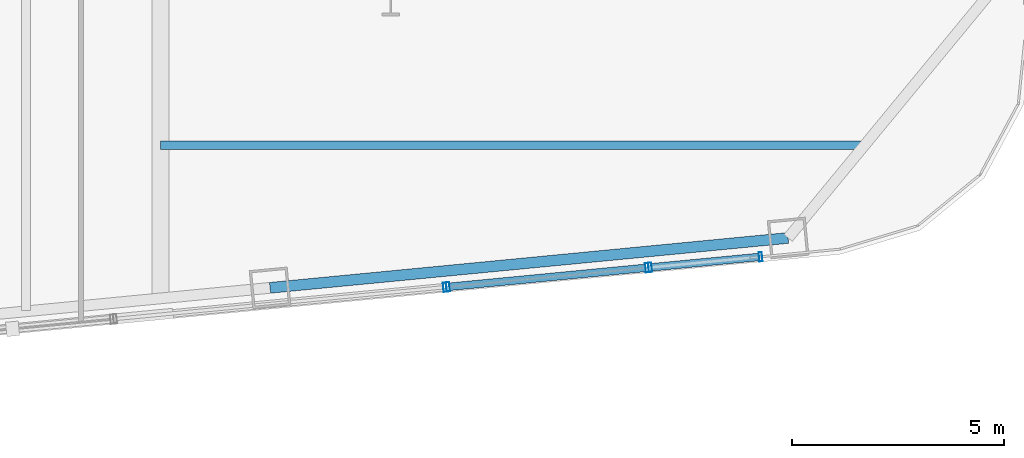
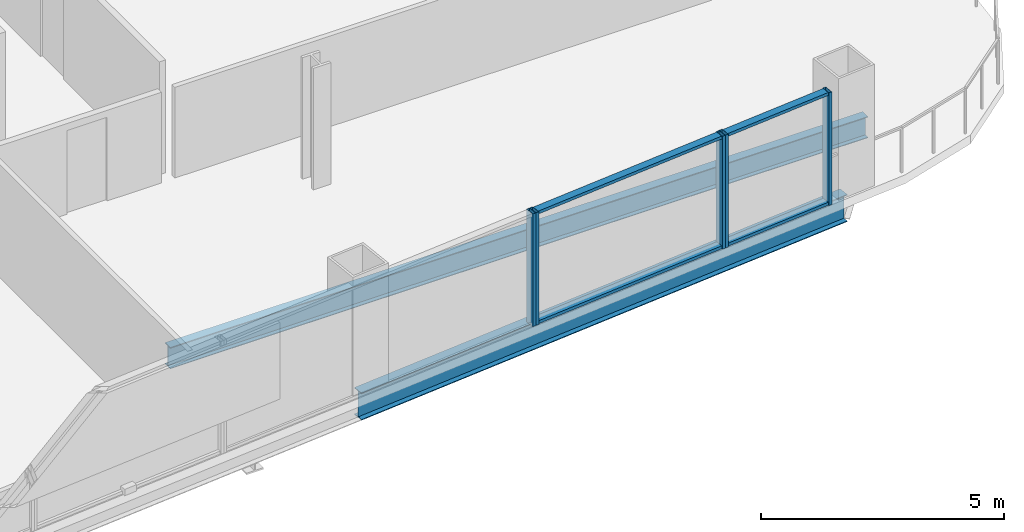
# One storey, part 11 of 32: 9 members, 2 beams, 3 elements without a shape of their own.
"""IFC4 building model written with IfcOpenShell, lengths in metres."""

from ifc_helpers import new_model, si_unit, direction, frame, origin, origin_2d, place, context, subcontext, project, spatial, hollow_rectangle, i_section, extrude, material, layer, layer_set, material_profile, profile_set, type_object, element, aggregate, save


model = new_model("IFC4")

# Units and contexts
model_context = context("Model", 3, precision=1e-05, world=origin(), true_north=direction((0.0, 1.0)))
body_context = subcontext(model_context, "Body", "Model", "MODEL_VIEW")
ifc_project = project(units=[si_unit("LENGTHUNIT", "METRE"), si_unit("AREAUNIT", "SQUARE_METRE"), si_unit("VOLUMEUNIT", "CUBIC_METRE"), si_unit("PLANEANGLEUNIT", "RADIAN"), si_unit("MASSUNIT", "GRAM", prefix="KILO")], contexts=[model_context])

# Site, building, storey
site_placement = place(None, origin())
site = spatial("IfcSite", under=ifc_project, at=site_placement, CompositionType="ELEMENT")
building_placement = place(site_placement, origin())
building = spatial("IfcBuilding", under=site, at=building_placement, Name="Qhalaya Broadcast Tower", CompositionType="ELEMENT")
storey_placement = place(building_placement, frame((0.0, 0.0, 87.75)))
storey = spatial("IfcBuildingStorey", under=building, at=storey_placement, Name="L25", CompositionType="ELEMENT", Elevation=87.75)

# Beams
ifc_material_1 = material(Name="Structural Steel ASTM A992 Grade 50", Category="steel")
ifc_material_profile_1 = material_profile(ifc_material_1, i_section(OverallWidth=0.2099609375, OverallDepth=0.535888671875, WebThickness=0.010986328125, FlangeThickness=0.017333984375, at=origin_2d()), Name="W21X68")
ifc_profile_set_1 = profile_set([ifc_material_profile_1], Name="Structural Steel ASTM A992 Grade 50")
beam_type_1 = type_object("IfcBeamType", Name="Composite Floor Joist J02", PredefinedType="JOIST", material=ifc_profile_set_1)
beam_1_placement = place(storey_placement, frame((9.375, -16.5, -0.488037109375), z_axis=(1.0, 0.0, 0.0), x_axis=(0.0, 1.0, 0.0)))
element("IfcBeam", 1, at=beam_1_placement, inside=storey, type_object=beam_type_1, Name="L25 J02 L25-JWE1E-1", PredefinedType="JOIST", context=body_context, shape_type="SweptSolid", body=[
    extrude(i_section(OverallWidth=0.2099609375, OverallDepth=0.535888671875, WebThickness=0.010986328125, FlangeThickness=0.017333984375, at=origin_2d()), origin(), (0.0, 0.0, 1.0), 16.56591796875),
])
ifc_material_profile_2 = material_profile(ifc_material_1, i_section(OverallWidth=0.25390625, OverallDepth=0.68310546875, WebThickness=0.012451171875, FlangeThickness=0.01904296875, at=origin_2d()), Name="W27X94")
ifc_profile_set_2 = profile_set([ifc_material_profile_2], Name="Structural Steel ASTM A992 Grade 50")
beam_type_2 = type_object("IfcBeamType", Name="Perimeter Ring Spandrel Beam SP1", PredefinedType="SPANDREL", material=ifc_profile_set_2)
beam_2_placement = place(storey_placement, frame((11.955078125, -19.861083984375, -0.5615234375), z_axis=(0.995397535354, 0.095831866369, 0.0), x_axis=(-0.095831866369, 0.995397535354, 0.0)))
element("IfcBeam", 2, at=beam_2_placement, inside=storey, type_object=beam_type_2, Name="L25 SP1 L25-SPR-03", PredefinedType="SPANDREL", context=body_context, shape_type="SweptSolid", body=[
    extrude(i_section(OverallWidth=0.25390625, OverallDepth=0.68310546875, WebThickness=0.012451171875, FlangeThickness=0.01904296875, at=origin_2d()), origin(), (0.0, 0.0, 1.0), 12.2666015625),
])

# Curtain wall, member
ifc_material_2 = material(Name="Fired Architectural Terracotta", Category="masonry")
ifc_layer_1 = layer(ifc_material_2, 0.219970703125, Name="Fired Architectural Terracotta")
ifc_layer_set_1 = layer_set([ifc_layer_1], Name="Fired Architectural Terracotta")
curtain_wall_type_1 = type_object("IfcCurtainWallType", Name="Block-Cap Unitised Terracotta Spandrel Wall CW-07", PredefinedType="NOTDEFINED", material=ifc_layer_set_1)
curtain_wall_1_placement = place(storey_placement, origin())
curtain_wall_1 = element("IfcCurtainWall", 3, at=curtain_wall_1_placement, inside=storey, type_object=curtain_wall_type_1, Name="L25 Unitised Curtain Wall L25-CW-S5", PredefinedType="NOTDEFINED")
ifc_material_3 = material(Name="Anodised Aluminium 6063-T6", Category="aluminium")
ifc_material_profile_3 = material_profile(ifc_material_3, hollow_rectangle(XDim=0.074951171875, YDim=0.219970703125, WallThickness=0.00390625, at=origin_2d()), Name="ALU-MUL 75x220x4")
ifc_profile_set_3 = profile_set([ifc_material_profile_3], Name="Anodised Aluminium 6063-T6")
member_type_1 = type_object("IfcMemberType", Name="Unitised Curtain-Wall Mullion M01", PredefinedType="MULLION", material=ifc_profile_set_3)
member_1_placement = place(storey_placement, frame((16.07568359375, -19.84619140625, 0.0), z_axis=(0.0, 0.0, 1.0), x_axis=(0.995396908899, 0.095838373083, 0.0)))
member_1 = element("IfcMember", 4, at=member_1_placement, type_object=member_type_1, Name="CW-07 mullion 2", PredefinedType="MULLION", context=body_context, shape_type="SweptSolid", body=[
    extrude(hollow_rectangle(XDim=0.074951171875, YDim=0.219970703125, WallThickness=0.00390625, at=origin_2d()), origin(), (0.0, 0.0, 1.0), 2.830078125),
])
aggregate(curtain_wall_1, [member_1])

# Curtain wall, members
ifc_material_4 = material(Name="Solar-Control Low-E Triple Glazing", Category="glass")
ifc_layer_2 = layer(ifc_material_4, 0.219970703125, Name="Solar-Control Low-E Triple Glazing")
ifc_layer_set_2 = layer_set([ifc_layer_2], Name="Solar-Control Low-E Triple Glazing")
curtain_wall_type_2 = type_object("IfcCurtainWallType", Name="Even-Block 4-Storey Double-Module Curtain Wall CW-03", PredefinedType="NOTDEFINED", material=ifc_layer_set_2)
curtain_wall_2_placement = place(storey_placement, origin())
curtain_wall_2 = element("IfcCurtainWall", 5, at=curtain_wall_2_placement, inside=storey, type_object=curtain_wall_type_2, Name="L25 Unitised Curtain Wall L25-CW-S6", PredefinedType="NOTDEFINED")
member_2_placement = place(storey_placement, frame((16.150390625, -19.839111328125, 0.0), z_axis=(0.0, 0.0, 1.0), x_axis=(0.995394431952, 0.095864095672, 0.0)))
member_2 = element("IfcMember", 6, at=member_2_placement, type_object=member_type_1, Name="CW-03 mullion 1", PredefinedType="MULLION", context=body_context, shape_type="SweptSolid", body=[
    extrude(hollow_rectangle(XDim=0.074951171875, YDim=0.219970703125, WallThickness=0.00390625, at=origin_2d()), origin(), (0.0, 0.0, 1.0), 2.830078125),
])
member_3_placement = place(storey_placement, frame((20.839599609375, -19.387451171875, 0.0), z_axis=(0.0, 0.0, 1.0), x_axis=(0.995394431952, 0.095864095672, 0.0)))
member_3 = element("IfcMember", 7, at=member_3_placement, type_object=member_type_1, Name="CW-03 mullion 2", PredefinedType="MULLION", context=body_context, shape_type="SweptSolid", body=[
    extrude(hollow_rectangle(XDim=0.074951171875, YDim=0.219970703125, WallThickness=0.00390625, at=origin_2d()), origin(), (0.0, 0.0, 1.0), 2.830078125),
])

curtain_wall_3_placement = place(storey_placement, origin())
curtain_wall_3 = element("IfcCurtainWall", 8, at=curtain_wall_3_placement, inside=storey, type_object=curtain_wall_type_1, Name="L25 Unitised Curtain Wall L25-CW-S7", PredefinedType="NOTDEFINED")
member_4_placement = place(storey_placement, frame((20.914306640625, -19.380126953125, 0.0), z_axis=(0.0, 0.0, 1.0), x_axis=(0.995397375184, 0.095833530024, 0.0)))
member_4 = element("IfcMember", 9, at=member_4_placement, type_object=member_type_1, Name="CW-07 mullion 1", PredefinedType="MULLION", context=body_context, shape_type="SweptSolid", body=[
    extrude(hollow_rectangle(XDim=0.074951171875, YDim=0.219970703125, WallThickness=0.00390625, at=origin_2d()), origin(), (0.0, 0.0, 1.0), 2.830078125),
])
member_5_placement = place(storey_placement, frame((23.517333984375, -19.129638671875, 0.0), z_axis=(0.0, 0.0, 1.0), x_axis=(0.995397375184, 0.095833530024, 0.0)))
member_5 = element("IfcMember", 10, at=member_5_placement, type_object=member_type_1, Name="CW-07 mullion 2", PredefinedType="MULLION", context=body_context, shape_type="SweptSolid", body=[
    extrude(hollow_rectangle(XDim=0.074951171875, YDim=0.219970703125, WallThickness=0.00390625, at=origin_2d()), origin(), (0.0, 0.0, 1.0), 2.830078125),
])

# Member
ifc_material_profile_4 = material_profile(ifc_material_3, hollow_rectangle(XDim=0.074951171875, YDim=0.179931640625, WallThickness=0.00390625, at=origin_2d()), Name="ALU-TRN 75x180x4")
ifc_profile_set_4 = profile_set([ifc_material_profile_4], Name="Anodised Aluminium 6063-T6")
member_type_2 = type_object("IfcMemberType", Name="Unitised Curtain-Wall Transom T01", PredefinedType="USERDEFINED", material=ifc_profile_set_4)
member_6_placement = place(storey_placement, frame((16.187744140625, -19.83544921875, 0.03759765625), z_axis=(0.99539096807, 0.095900055704, 0.0), x_axis=(0.0, 0.0, 1.0)))
member_6 = element("IfcMember", 11, at=member_6_placement, type_object=member_type_2, Name="CW-03 transom 1.1", ObjectType="TRANSOM", PredefinedType="USERDEFINED", context=body_context, shape_type="SweptSolid", body=[
    extrude(hollow_rectangle(XDim=0.074951171875, YDim=0.179931640625, WallThickness=0.00390625, at=origin_2d()), origin(), (0.0, 0.0, 1.0), 4.635986328125),
])

member_7_placement = place(storey_placement, frame((16.187744140625, -19.83544921875, 2.79248046875), z_axis=(0.99539096807, 0.095900055704, 0.0), x_axis=(0.0, 0.0, 1.0)))
member_7 = element("IfcMember", 12, at=member_7_placement, type_object=member_type_2, Name="CW-03 transom 1.2", ObjectType="TRANSOM", PredefinedType="USERDEFINED", context=body_context, shape_type="SweptSolid", body=[
    extrude(hollow_rectangle(XDim=0.074951171875, YDim=0.179931640625, WallThickness=0.00390625, at=origin_2d()), origin(), (0.0, 0.0, 1.0), 4.635986328125),
])

aggregate(curtain_wall_2, [member_2, member_3, member_6, member_7])

member_8_placement = place(storey_placement, frame((20.95166015625, -19.376708984375, 0.03759765625), z_axis=(0.995397751495, 0.095829621306, 0.0), x_axis=(0.0, 0.0, 1.0)))
member_8 = element("IfcMember", 13, at=member_8_placement, type_object=member_type_2, Name="CW-07 transom 1.1", ObjectType="TRANSOM", PredefinedType="USERDEFINED", context=body_context, shape_type="SweptSolid", body=[
    extrude(hollow_rectangle(XDim=0.074951171875, YDim=0.179931640625, WallThickness=0.00390625, at=origin_2d()), origin(), (0.0, 0.0, 1.0), 2.5400390625),
])

member_9_placement = place(storey_placement, frame((20.95166015625, -19.376708984375, 2.79248046875), z_axis=(0.995397751495, 0.095829621306, 0.0), x_axis=(0.0, 0.0, 1.0)))
member_9 = element("IfcMember", 14, at=member_9_placement, type_object=member_type_2, Name="CW-07 transom 1.2", ObjectType="TRANSOM", PredefinedType="USERDEFINED", context=body_context, shape_type="SweptSolid", body=[
    extrude(hollow_rectangle(XDim=0.074951171875, YDim=0.179931640625, WallThickness=0.00390625, at=origin_2d()), origin(), (0.0, 0.0, 1.0), 2.5400390625),
])

aggregate(curtain_wall_3, [member_4, member_5, member_8, member_9])

save(model, "model.ifc")
